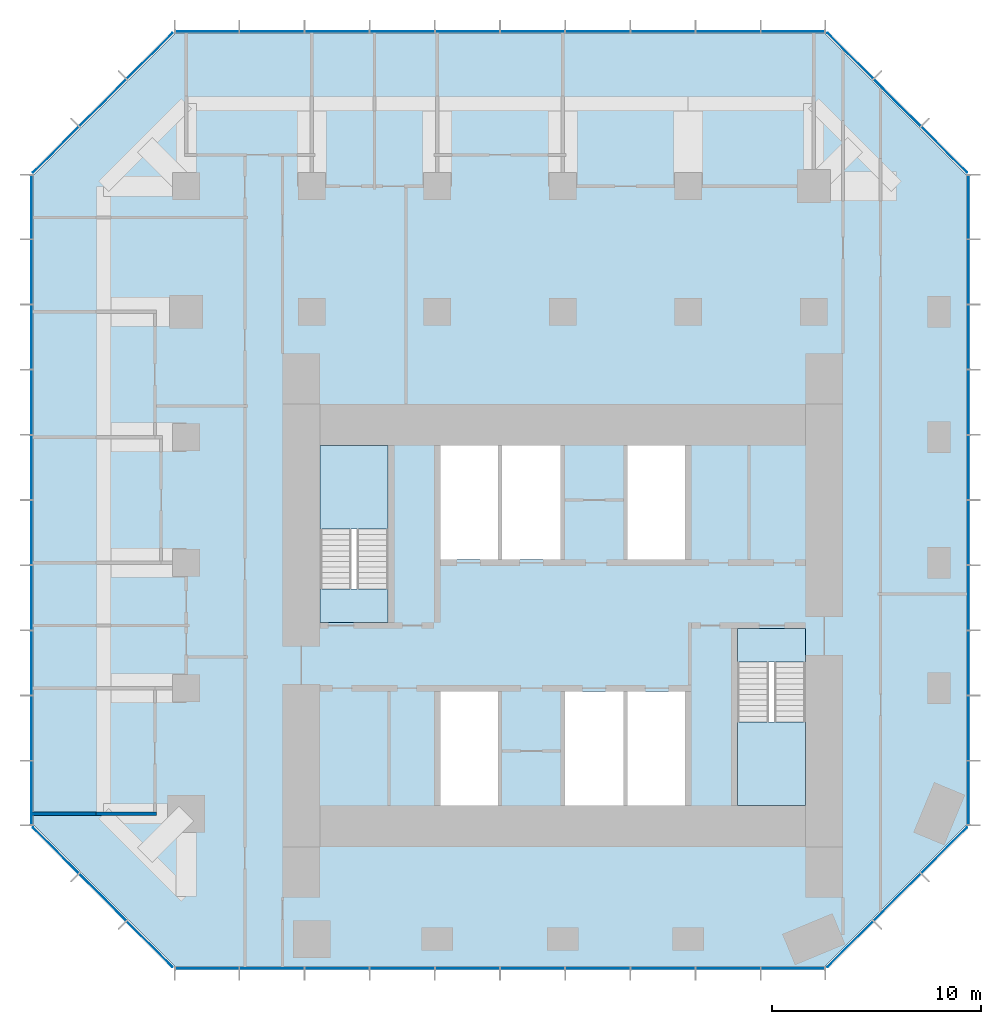
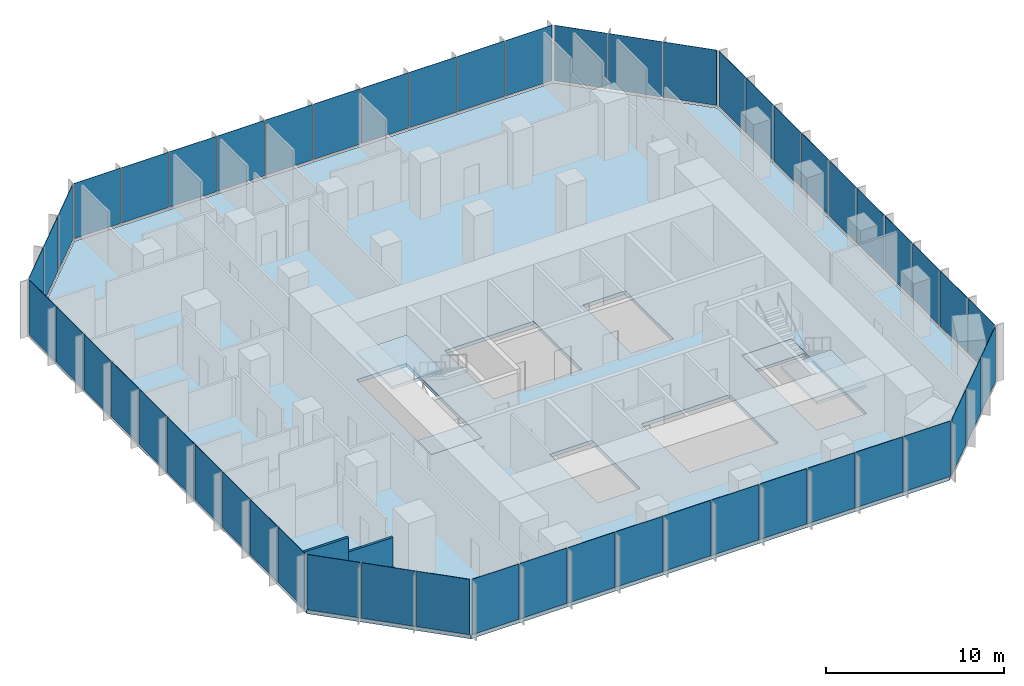
# One storey, part 7 of 11: 52 plates, 5 slabs, 2 walls, 10 elements without a shape of their own.
"""IFC4 building model written with IfcOpenShell, lengths in metres."""

from ifc_helpers import new_model, si_unit, direction, frame, frame_2d, origin, origin_2d, place, context, subcontext, project, spatial, polyline, rectangle, outline, extrude, material, layer, layer_set, type_object, element, aggregate, save


model = new_model("IFC4")

# Units and contexts
model_context = context("Model", 3, precision=1e-05, world=origin(), true_north=direction((0.0, 1.0)))
body_context = subcontext(model_context, "Body", "Model", "MODEL_VIEW")
ifc_project = project(units=[si_unit("LENGTHUNIT", "METRE"), si_unit("AREAUNIT", "SQUARE_METRE"), si_unit("VOLUMEUNIT", "CUBIC_METRE"), si_unit("PLANEANGLEUNIT", "RADIAN"), si_unit("MASSUNIT", "GRAM", prefix="KILO")], contexts=[model_context])

# Site, building, storey
site_placement = place(None, origin())
site = spatial("IfcSite", under=ifc_project, at=site_placement, CompositionType="ELEMENT")
building_placement = place(site_placement, origin())
building = spatial("IfcBuilding", under=site, at=building_placement, Name="Highveld Stack Headquarters", CompositionType="ELEMENT")
storey_placement = place(building_placement, frame((0.0, 0.0, 200.60009765625)))
storey = spatial("IfcBuildingStorey", under=building, at=storey_placement, Name="L49", CompositionType="ELEMENT", Elevation=200.60009765625)

# Curtain wall, plates
ifc_material_1 = material(Name="Aluminium bronze anodised", Category="aluminium")
ifc_layer_1 = layer(ifc_material_1, 0.199951171875)
ifc_layer_set_1 = layer_set([ifc_layer_1], Name="Aluminium bronze anodised")
curtain_wall_type_1 = type_object("IfcCurtainWallType", Name="CW1 TOWER UNITISED CURTAIN WALL", PredefinedType="NOTDEFINED", material=ifc_layer_set_1)
curtain_wall_1_placement = place(storey_placement, origin())
curtain_wall_1 = element("IfcCurtainWall", 1, at=curtain_wall_1_placement, inside=storey, type_object=curtain_wall_type_1, Name="Curtain wall CW1 L49 S", PredefinedType="NOTDEFINED")
ifc_material_2 = material(Name="Glass bronze tinted double glazed unit", Category="glass")
ifc_layer_2 = layer(ifc_material_2, 0.028076171875)
ifc_layer_set_2 = layer_set([ifc_layer_2], Name="Glass bronze tinted double glazed unit")
plate_type_1 = type_object("IfcPlateType", Name="CW1 PANEL BRONZE TINTED DOUBLE GLAZED UNIT", PredefinedType="CURTAIN_PANEL", material=ifc_layer_set_2)
plate_1_placement = place(storey_placement, frame((-11.005615234375, -13.39990234375, 0.10009765625), z_axis=(0.0, 0.0, 1.0), x_axis=(1.0, 0.0, 0.0)))
plate_1 = element("IfcPlate", 2, at=plate_1_placement, type_object=plate_type_1, Name="CW1 panel L49 1.1", PredefinedType="CURTAIN_PANEL", context=body_context, shape_type="SweptSolid", body=[
    extrude(rectangle(XDim=3.0185546875, YDim=0.028076171875, at=origin_2d()), origin(), (0.0, 0.0, 1.0), 3.800048828125),
])
plate_2_placement = place(storey_placement, frame((-7.906005859375, -13.39990234375, 0.10009765625), z_axis=(0.0, 0.0, 1.0), x_axis=(1.0, 0.0, 0.0)))
plate_2 = element("IfcPlate", 3, at=plate_2_placement, type_object=plate_type_1, Name="CW1 panel L49 2.1", PredefinedType="CURTAIN_PANEL", context=body_context, shape_type="SweptSolid", body=[
    extrude(rectangle(XDim=3.051025390625, YDim=0.028076171875, at=origin_2d()), origin(), (0.0, 0.0, 1.0), 3.800048828125),
])
plate_3_placement = place(storey_placement, frame((-4.7900390625, -13.39990234375, 0.10009765625), z_axis=(0.0, 0.0, 1.0), x_axis=(1.0, 0.0, 0.0)))
plate_3 = element("IfcPlate", 4, at=plate_3_placement, type_object=plate_type_1, Name="CW1 panel L49 3.1", PredefinedType="CURTAIN_PANEL", context=body_context, shape_type="SweptSolid", body=[
    extrude(rectangle(XDim=3.051025390625, YDim=0.028076171875, at=origin_2d()), origin(), (0.0, 0.0, 1.0), 3.800048828125),
])
plate_4_placement = place(storey_placement, frame((-1.674072265625, -13.39990234375, 0.10009765625), z_axis=(0.0, 0.0, 1.0), x_axis=(1.0, 0.0, 0.0)))
plate_4 = element("IfcPlate", 5, at=plate_4_placement, type_object=plate_type_1, Name="CW1 panel L49 4.1", PredefinedType="CURTAIN_PANEL", context=body_context, shape_type="SweptSolid", body=[
    extrude(rectangle(XDim=3.051025390625, YDim=0.028076171875, at=origin_2d()), origin(), (0.0, 0.0, 1.0), 3.800048828125),
])
plate_5_placement = place(storey_placement, frame((1.44189453125, -13.39990234375, 0.10009765625), z_axis=(0.0, 0.0, 1.0), x_axis=(1.0, 0.0, 0.0)))
plate_5 = element("IfcPlate", 6, at=plate_5_placement, type_object=plate_type_1, Name="CW1 panel L49 5.1", PredefinedType="CURTAIN_PANEL", context=body_context, shape_type="SweptSolid", body=[
    extrude(rectangle(XDim=3.051025390625, YDim=0.028076171875, at=origin_2d()), origin(), (0.0, 0.0, 1.0), 3.800048828125),
])
plate_6_placement = place(storey_placement, frame((4.55810546875, -13.39990234375, 0.10009765625), z_axis=(0.0, 0.0, 1.0), x_axis=(1.0, 0.0, 0.0)))
plate_6 = element("IfcPlate", 7, at=plate_6_placement, type_object=plate_type_1, Name="CW1 panel L49 6.1", PredefinedType="CURTAIN_PANEL", context=body_context, shape_type="SweptSolid", body=[
    extrude(rectangle(XDim=3.051025390625, YDim=0.028076171875, at=origin_2d()), origin(), (0.0, 0.0, 1.0), 3.800048828125),
])
plate_7_placement = place(storey_placement, frame((7.674072265625, -13.39990234375, 0.10009765625), z_axis=(0.0, 0.0, 1.0), x_axis=(1.0, 0.0, 0.0)))
plate_7 = element("IfcPlate", 8, at=plate_7_placement, type_object=plate_type_1, Name="CW1 panel L49 7.1", PredefinedType="CURTAIN_PANEL", context=body_context, shape_type="SweptSolid", body=[
    extrude(rectangle(XDim=3.051025390625, YDim=0.028076171875, at=origin_2d()), origin(), (0.0, 0.0, 1.0), 3.800048828125),
])
plate_8_placement = place(storey_placement, frame((10.789794921875, -13.39990234375, 0.10009765625), z_axis=(0.0, 0.0, 1.0), x_axis=(1.0, 0.0, 0.0)))
plate_8 = element("IfcPlate", 9, at=plate_8_placement, type_object=plate_type_1, Name="CW1 panel L49 8.1", PredefinedType="CURTAIN_PANEL", context=body_context, shape_type="SweptSolid", body=[
    extrude(rectangle(XDim=3.051025390625, YDim=0.028076171875, at=origin_2d()), origin(), (0.0, 0.0, 1.0), 3.800048828125),
])
plate_9_placement = place(storey_placement, frame((13.906005859375, -13.39990234375, 0.10009765625), z_axis=(0.0, 0.0, 1.0), x_axis=(1.0, 0.0, 0.0)))
plate_9 = element("IfcPlate", 10, at=plate_9_placement, type_object=plate_type_1, Name="CW1 panel L49 9.1", PredefinedType="CURTAIN_PANEL", context=body_context, shape_type="SweptSolid", body=[
    extrude(rectangle(XDim=3.051025390625, YDim=0.028076171875, at=origin_2d()), origin(), (0.0, 0.0, 1.0), 3.800048828125),
])
plate_10_placement = place(storey_placement, frame((17.005615234375, -13.39990234375, 0.10009765625), z_axis=(0.0, 0.0, 1.0), x_axis=(1.0, 0.0, 0.0)))
plate_10 = element("IfcPlate", 11, at=plate_10_placement, type_object=plate_type_1, Name="CW1 panel L49 10.1", PredefinedType="CURTAIN_PANEL", context=body_context, shape_type="SweptSolid", body=[
    extrude(rectangle(XDim=3.0185546875, YDim=0.028076171875, at=origin_2d()), origin(), (0.0, 0.0, 1.0), 3.800048828125),
])
aggregate(curtain_wall_1, [plate_1, plate_2, plate_3, plate_4, plate_5, plate_6, plate_7, plate_8, plate_9, plate_10])

curtain_wall_2_placement = place(storey_placement, origin())
curtain_wall_2 = element("IfcCurtainWall", 12, at=curtain_wall_2_placement, inside=storey, type_object=curtain_wall_type_1, Name="Curtain wall CW1 L49 E", PredefinedType="NOTDEFINED")
plate_11_placement = place(storey_placement, frame((25.39990234375, -5.005615234375, 0.10009765625), z_axis=(0.0, 0.0, 1.0), x_axis=(0.0, 1.0, 0.0)))
plate_11 = element("IfcPlate", 13, at=plate_11_placement, type_object=plate_type_1, Name="CW1 panel L49 1.1", PredefinedType="CURTAIN_PANEL", context=body_context, shape_type="SweptSolid", body=[
    extrude(rectangle(XDim=3.0185546875, YDim=0.028076171875, at=origin_2d()), origin(), (0.0, 0.0, 1.0), 3.800048828125),
])
plate_12_placement = place(storey_placement, frame((25.39990234375, -1.906005859375, 0.10009765625), z_axis=(0.0, 0.0, 1.0), x_axis=(0.0, 1.0, 0.0)))
plate_12 = element("IfcPlate", 14, at=plate_12_placement, type_object=plate_type_1, Name="CW1 panel L49 2.1", PredefinedType="CURTAIN_PANEL", context=body_context, shape_type="SweptSolid", body=[
    extrude(rectangle(XDim=3.051025390625, YDim=0.028076171875, at=origin_2d()), origin(), (0.0, 0.0, 1.0), 3.800048828125),
])
plate_13_placement = place(storey_placement, frame((25.39990234375, 1.2099609375, 0.10009765625), z_axis=(0.0, 0.0, 1.0), x_axis=(0.0, 1.0, 0.0)))
plate_13 = element("IfcPlate", 15, at=plate_13_placement, type_object=plate_type_1, Name="CW1 panel L49 3.1", PredefinedType="CURTAIN_PANEL", context=body_context, shape_type="SweptSolid", body=[
    extrude(rectangle(XDim=3.051025390625, YDim=0.028076171875, at=origin_2d()), origin(), (0.0, 0.0, 1.0), 3.800048828125),
])
plate_14_placement = place(storey_placement, frame((25.39990234375, 4.325927734375, 0.10009765625), z_axis=(0.0, 0.0, 1.0), x_axis=(0.0, 1.0, 0.0)))
plate_14 = element("IfcPlate", 16, at=plate_14_placement, type_object=plate_type_1, Name="CW1 panel L49 4.1", PredefinedType="CURTAIN_PANEL", context=body_context, shape_type="SweptSolid", body=[
    extrude(rectangle(XDim=3.051025390625, YDim=0.028076171875, at=origin_2d()), origin(), (0.0, 0.0, 1.0), 3.800048828125),
])
plate_15_placement = place(storey_placement, frame((25.39990234375, 7.44189453125, 0.10009765625), z_axis=(0.0, 0.0, 1.0), x_axis=(0.0, 1.0, 0.0)))
plate_15 = element("IfcPlate", 17, at=plate_15_placement, type_object=plate_type_1, Name="CW1 panel L49 5.1", PredefinedType="CURTAIN_PANEL", context=body_context, shape_type="SweptSolid", body=[
    extrude(rectangle(XDim=3.051025390625, YDim=0.028076171875, at=origin_2d()), origin(), (0.0, 0.0, 1.0), 3.800048828125),
])
plate_16_placement = place(storey_placement, frame((25.39990234375, 10.55810546875, 0.10009765625), z_axis=(0.0, 0.0, 1.0), x_axis=(0.0, 1.0, 0.0)))
plate_16 = element("IfcPlate", 18, at=plate_16_placement, type_object=plate_type_1, Name="CW1 panel L49 6.1", PredefinedType="CURTAIN_PANEL", context=body_context, shape_type="SweptSolid", body=[
    extrude(rectangle(XDim=3.051025390625, YDim=0.028076171875, at=origin_2d()), origin(), (0.0, 0.0, 1.0), 3.800048828125),
])
plate_17_placement = place(storey_placement, frame((25.39990234375, 13.674072265625, 0.10009765625), z_axis=(0.0, 0.0, 1.0), x_axis=(0.0, 1.0, 0.0)))
plate_17 = element("IfcPlate", 19, at=plate_17_placement, type_object=plate_type_1, Name="CW1 panel L49 7.1", PredefinedType="CURTAIN_PANEL", context=body_context, shape_type="SweptSolid", body=[
    extrude(rectangle(XDim=3.051025390625, YDim=0.028076171875, at=origin_2d()), origin(), (0.0, 0.0, 1.0), 3.800048828125),
])
plate_18_placement = place(storey_placement, frame((25.39990234375, 16.789794921875, 0.10009765625), z_axis=(0.0, 0.0, 1.0), x_axis=(0.0, 1.0, 0.0)))
plate_18 = element("IfcPlate", 20, at=plate_18_placement, type_object=plate_type_1, Name="CW1 panel L49 8.1", PredefinedType="CURTAIN_PANEL", context=body_context, shape_type="SweptSolid", body=[
    extrude(rectangle(XDim=3.051025390625, YDim=0.028076171875, at=origin_2d()), origin(), (0.0, 0.0, 1.0), 3.800048828125),
])
plate_19_placement = place(storey_placement, frame((25.39990234375, 19.906005859375, 0.10009765625), z_axis=(0.0, 0.0, 1.0), x_axis=(0.0, 1.0, 0.0)))
plate_19 = element("IfcPlate", 21, at=plate_19_placement, type_object=plate_type_1, Name="CW1 panel L49 9.1", PredefinedType="CURTAIN_PANEL", context=body_context, shape_type="SweptSolid", body=[
    extrude(rectangle(XDim=3.051025390625, YDim=0.028076171875, at=origin_2d()), origin(), (0.0, 0.0, 1.0), 3.800048828125),
])
plate_20_placement = place(storey_placement, frame((25.39990234375, 23.005615234375, 0.10009765625), z_axis=(0.0, 0.0, 1.0), x_axis=(0.0, 1.0, 0.0)))
plate_20 = element("IfcPlate", 22, at=plate_20_placement, type_object=plate_type_1, Name="CW1 panel L49 10.1", PredefinedType="CURTAIN_PANEL", context=body_context, shape_type="SweptSolid", body=[
    extrude(rectangle(XDim=3.0185546875, YDim=0.028076171875, at=origin_2d()), origin(), (0.0, 0.0, 1.0), 3.800048828125),
])
aggregate(curtain_wall_2, [plate_11, plate_12, plate_13, plate_14, plate_15, plate_16, plate_17, plate_18, plate_19, plate_20])

curtain_wall_3_placement = place(storey_placement, origin())
curtain_wall_3 = element("IfcCurtainWall", 23, at=curtain_wall_3_placement, inside=storey, type_object=curtain_wall_type_1, Name="Curtain wall CW1 L49 N", PredefinedType="NOTDEFINED")
plate_21_placement = place(storey_placement, frame((17.005615234375, 31.39990234375, 0.10009765625), z_axis=(0.0, 0.0, 1.0), x_axis=(-1.0, 0.0, 0.0)))
plate_21 = element("IfcPlate", 24, at=plate_21_placement, type_object=plate_type_1, Name="CW1 panel L49 1.1", PredefinedType="CURTAIN_PANEL", context=body_context, shape_type="SweptSolid", body=[
    extrude(rectangle(XDim=3.0185546875, YDim=0.028076171875, at=origin_2d()), origin(), (0.0, 0.0, 1.0), 3.800048828125),
])
plate_22_placement = place(storey_placement, frame((13.906005859375, 31.39990234375, 0.10009765625), z_axis=(0.0, 0.0, 1.0), x_axis=(-1.0, 0.0, 0.0)))
plate_22 = element("IfcPlate", 25, at=plate_22_placement, type_object=plate_type_1, Name="CW1 panel L49 2.1", PredefinedType="CURTAIN_PANEL", context=body_context, shape_type="SweptSolid", body=[
    extrude(rectangle(XDim=3.051025390625, YDim=0.028076171875, at=origin_2d()), origin(), (0.0, 0.0, 1.0), 3.800048828125),
])
plate_23_placement = place(storey_placement, frame((10.7900390625, 31.39990234375, 0.10009765625), z_axis=(0.0, 0.0, 1.0), x_axis=(-1.0, 0.0, 0.0)))
plate_23 = element("IfcPlate", 26, at=plate_23_placement, type_object=plate_type_1, Name="CW1 panel L49 3.1", PredefinedType="CURTAIN_PANEL", context=body_context, shape_type="SweptSolid", body=[
    extrude(rectangle(XDim=3.051025390625, YDim=0.028076171875, at=origin_2d()), origin(), (0.0, 0.0, 1.0), 3.800048828125),
])
plate_24_placement = place(storey_placement, frame((7.674072265625, 31.39990234375, 0.10009765625), z_axis=(0.0, 0.0, 1.0), x_axis=(-1.0, 0.0, 0.0)))
plate_24 = element("IfcPlate", 27, at=plate_24_placement, type_object=plate_type_1, Name="CW1 panel L49 4.1", PredefinedType="CURTAIN_PANEL", context=body_context, shape_type="SweptSolid", body=[
    extrude(rectangle(XDim=3.051025390625, YDim=0.028076171875, at=origin_2d()), origin(), (0.0, 0.0, 1.0), 3.800048828125),
])
plate_25_placement = place(storey_placement, frame((4.55810546875, 31.39990234375, 0.10009765625), z_axis=(0.0, 0.0, 1.0), x_axis=(-1.0, 0.0, 0.0)))
plate_25 = element("IfcPlate", 28, at=plate_25_placement, type_object=plate_type_1, Name="CW1 panel L49 5.1", PredefinedType="CURTAIN_PANEL", context=body_context, shape_type="SweptSolid", body=[
    extrude(rectangle(XDim=3.051025390625, YDim=0.028076171875, at=origin_2d()), origin(), (0.0, 0.0, 1.0), 3.800048828125),
])
plate_26_placement = place(storey_placement, frame((1.44189453125, 31.39990234375, 0.10009765625), z_axis=(0.0, 0.0, 1.0), x_axis=(-1.0, 0.0, 0.0)))
plate_26 = element("IfcPlate", 29, at=plate_26_placement, type_object=plate_type_1, Name="CW1 panel L49 6.1", PredefinedType="CURTAIN_PANEL", context=body_context, shape_type="SweptSolid", body=[
    extrude(rectangle(XDim=3.051025390625, YDim=0.028076171875, at=origin_2d()), origin(), (0.0, 0.0, 1.0), 3.800048828125),
])
plate_27_placement = place(storey_placement, frame((-1.674072265625, 31.39990234375, 0.10009765625), z_axis=(0.0, 0.0, 1.0), x_axis=(-1.0, 0.0, 0.0)))
plate_27 = element("IfcPlate", 30, at=plate_27_placement, type_object=plate_type_1, Name="CW1 panel L49 7.1", PredefinedType="CURTAIN_PANEL", context=body_context, shape_type="SweptSolid", body=[
    extrude(rectangle(XDim=3.051025390625, YDim=0.028076171875, at=origin_2d()), origin(), (0.0, 0.0, 1.0), 3.800048828125),
])
plate_28_placement = place(storey_placement, frame((-4.789794921875, 31.39990234375, 0.10009765625), z_axis=(0.0, 0.0, 1.0), x_axis=(-1.0, 0.0, 0.0)))
plate_28 = element("IfcPlate", 31, at=plate_28_placement, type_object=plate_type_1, Name="CW1 panel L49 8.1", PredefinedType="CURTAIN_PANEL", context=body_context, shape_type="SweptSolid", body=[
    extrude(rectangle(XDim=3.051025390625, YDim=0.028076171875, at=origin_2d()), origin(), (0.0, 0.0, 1.0), 3.800048828125),
])
plate_29_placement = place(storey_placement, frame((-7.906005859375, 31.39990234375, 0.10009765625), z_axis=(0.0, 0.0, 1.0), x_axis=(-1.0, 0.0, 0.0)))
plate_29 = element("IfcPlate", 32, at=plate_29_placement, type_object=plate_type_1, Name="CW1 panel L49 9.1", PredefinedType="CURTAIN_PANEL", context=body_context, shape_type="SweptSolid", body=[
    extrude(rectangle(XDim=3.051025390625, YDim=0.028076171875, at=origin_2d()), origin(), (0.0, 0.0, 1.0), 3.800048828125),
])
plate_30_placement = place(storey_placement, frame((-11.005615234375, 31.39990234375, 0.10009765625), z_axis=(0.0, 0.0, 1.0), x_axis=(-1.0, 0.0, 0.0)))
plate_30 = element("IfcPlate", 33, at=plate_30_placement, type_object=plate_type_1, Name="CW1 panel L49 10.1", PredefinedType="CURTAIN_PANEL", context=body_context, shape_type="SweptSolid", body=[
    extrude(rectangle(XDim=3.0185546875, YDim=0.028076171875, at=origin_2d()), origin(), (0.0, 0.0, 1.0), 3.800048828125),
])
aggregate(curtain_wall_3, [plate_21, plate_22, plate_23, plate_24, plate_25, plate_26, plate_27, plate_28, plate_29, plate_30])

curtain_wall_4_placement = place(storey_placement, origin())
curtain_wall_4 = element("IfcCurtainWall", 34, at=curtain_wall_4_placement, inside=storey, type_object=curtain_wall_type_1, Name="Curtain wall CW1 L49 W", PredefinedType="NOTDEFINED")
plate_31_placement = place(storey_placement, frame((-19.39990234375, 23.005615234375, 0.10009765625), z_axis=(0.0, 0.0, 1.0), x_axis=(0.0, -1.0, 0.0)))
plate_31 = element("IfcPlate", 35, at=plate_31_placement, type_object=plate_type_1, Name="CW1 panel L49 1.1", PredefinedType="CURTAIN_PANEL", context=body_context, shape_type="SweptSolid", body=[
    extrude(rectangle(XDim=3.0185546875, YDim=0.028076171875, at=origin_2d()), origin(), (0.0, 0.0, 1.0), 3.800048828125),
])
plate_32_placement = place(storey_placement, frame((-19.39990234375, 19.906005859375, 0.10009765625), z_axis=(0.0, 0.0, 1.0), x_axis=(0.0, -1.0, 0.0)))
plate_32 = element("IfcPlate", 36, at=plate_32_placement, type_object=plate_type_1, Name="CW1 panel L49 2.1", PredefinedType="CURTAIN_PANEL", context=body_context, shape_type="SweptSolid", body=[
    extrude(rectangle(XDim=3.051025390625, YDim=0.028076171875, at=origin_2d()), origin(), (0.0, 0.0, 1.0), 3.800048828125),
])
plate_33_placement = place(storey_placement, frame((-19.39990234375, 16.7900390625, 0.10009765625), z_axis=(0.0, 0.0, 1.0), x_axis=(0.0, -1.0, 0.0)))
plate_33 = element("IfcPlate", 37, at=plate_33_placement, type_object=plate_type_1, Name="CW1 panel L49 3.1", PredefinedType="CURTAIN_PANEL", context=body_context, shape_type="SweptSolid", body=[
    extrude(rectangle(XDim=3.051025390625, YDim=0.028076171875, at=origin_2d()), origin(), (0.0, 0.0, 1.0), 3.800048828125),
])
plate_34_placement = place(storey_placement, frame((-19.39990234375, 13.674072265625, 0.10009765625), z_axis=(0.0, 0.0, 1.0), x_axis=(0.0, -1.0, 0.0)))
plate_34 = element("IfcPlate", 38, at=plate_34_placement, type_object=plate_type_1, Name="CW1 panel L49 4.1", PredefinedType="CURTAIN_PANEL", context=body_context, shape_type="SweptSolid", body=[
    extrude(rectangle(XDim=3.051025390625, YDim=0.028076171875, at=origin_2d()), origin(), (0.0, 0.0, 1.0), 3.800048828125),
])
plate_35_placement = place(storey_placement, frame((-19.39990234375, 10.55810546875, 0.10009765625), z_axis=(0.0, 0.0, 1.0), x_axis=(0.0, -1.0, 0.0)))
plate_35 = element("IfcPlate", 39, at=plate_35_placement, type_object=plate_type_1, Name="CW1 panel L49 5.1", PredefinedType="CURTAIN_PANEL", context=body_context, shape_type="SweptSolid", body=[
    extrude(rectangle(XDim=3.051025390625, YDim=0.028076171875, at=origin_2d()), origin(), (0.0, 0.0, 1.0), 3.800048828125),
])
plate_36_placement = place(storey_placement, frame((-19.39990234375, 7.44189453125, 0.10009765625), z_axis=(0.0, 0.0, 1.0), x_axis=(0.0, -1.0, 0.0)))
plate_36 = element("IfcPlate", 40, at=plate_36_placement, type_object=plate_type_1, Name="CW1 panel L49 6.1", PredefinedType="CURTAIN_PANEL", context=body_context, shape_type="SweptSolid", body=[
    extrude(rectangle(XDim=3.051025390625, YDim=0.028076171875, at=origin_2d()), origin(), (0.0, 0.0, 1.0), 3.800048828125),
])
plate_37_placement = place(storey_placement, frame((-19.39990234375, 4.325927734375, 0.10009765625), z_axis=(0.0, 0.0, 1.0), x_axis=(0.0, -1.0, 0.0)))
plate_37 = element("IfcPlate", 41, at=plate_37_placement, type_object=plate_type_1, Name="CW1 panel L49 7.1", PredefinedType="CURTAIN_PANEL", context=body_context, shape_type="SweptSolid", body=[
    extrude(rectangle(XDim=3.051025390625, YDim=0.028076171875, at=origin_2d()), origin(), (0.0, 0.0, 1.0), 3.800048828125),
])
plate_38_placement = place(storey_placement, frame((-19.39990234375, 1.210205078125, 0.10009765625), z_axis=(0.0, 0.0, 1.0), x_axis=(0.0, -1.0, 0.0)))
plate_38 = element("IfcPlate", 42, at=plate_38_placement, type_object=plate_type_1, Name="CW1 panel L49 8.1", PredefinedType="CURTAIN_PANEL", context=body_context, shape_type="SweptSolid", body=[
    extrude(rectangle(XDim=3.051025390625, YDim=0.028076171875, at=origin_2d()), origin(), (0.0, 0.0, 1.0), 3.800048828125),
])
plate_39_placement = place(storey_placement, frame((-19.39990234375, -1.906005859375, 0.10009765625), z_axis=(0.0, 0.0, 1.0), x_axis=(0.0, -1.0, 0.0)))
plate_39 = element("IfcPlate", 43, at=plate_39_placement, type_object=plate_type_1, Name="CW1 panel L49 9.1", PredefinedType="CURTAIN_PANEL", context=body_context, shape_type="SweptSolid", body=[
    extrude(rectangle(XDim=3.051025390625, YDim=0.028076171875, at=origin_2d()), origin(), (0.0, 0.0, 1.0), 3.800048828125),
])
plate_40_placement = place(storey_placement, frame((-19.39990234375, -5.005615234375, 0.10009765625), z_axis=(0.0, 0.0, 1.0), x_axis=(0.0, -1.0, 0.0)))
plate_40 = element("IfcPlate", 44, at=plate_40_placement, type_object=plate_type_1, Name="CW1 panel L49 10.1", PredefinedType="CURTAIN_PANEL", context=body_context, shape_type="SweptSolid", body=[
    extrude(rectangle(XDim=3.0185546875, YDim=0.028076171875, at=origin_2d()), origin(), (0.0, 0.0, 1.0), 3.800048828125),
])
aggregate(curtain_wall_4, [plate_31, plate_32, plate_33, plate_34, plate_35, plate_36, plate_37, plate_38, plate_39, plate_40])

ifc_material_3 = material(Name="Aluminium bronze anodised", Category="aluminium")
ifc_layer_3 = layer(ifc_material_3, 0.199951171875)
ifc_layer_set_3 = layer_set([ifc_layer_3], Name="Aluminium bronze anodised")
curtain_wall_type_2 = type_object("IfcCurtainWallType", Name="CW2 TOWER CHAMFER UNITISED CURTAIN WALL", PredefinedType="NOTDEFINED", material=ifc_layer_set_3)
curtain_wall_5_placement = place(storey_placement, origin())
curtain_wall_5 = element("IfcCurtainWall", 45, at=curtain_wall_5_placement, inside=storey, type_object=curtain_wall_type_2, Name="Curtain wall CW2 L49 SE", PredefinedType="NOTDEFINED")
ifc_material_4 = material(Name="Glass bronze tinted double glazed unit", Category="glass")
ifc_layer_4 = layer(ifc_material_4, 0.028076171875)
ifc_layer_set_4 = layer_set([ifc_layer_4], Name="Glass bronze tinted double glazed unit")
plate_type_2 = type_object("IfcPlateType", Name="CW2 PANEL BRONZE TINTED DOUBLE GLAZED UNIT", PredefinedType="CURTAIN_PANEL", material=ifc_layer_set_4)
plate_41_placement = place(storey_placement, frame((19.740478515625, -12.239501953125, 0.10009765625), z_axis=(0.0, 0.0, 1.0), x_axis=(0.707106781187, 0.707106781187, 0.0)))
plate_41 = element("IfcPlate", 46, at=plate_41_placement, type_object=plate_type_2, Name="CW2 panel L49 1.1", PredefinedType="CURTAIN_PANEL", context=body_context, shape_type="SweptSolid", body=[
    extrude(rectangle(XDim=3.08251953125, YDim=0.028076171875, at=origin_2d()), origin(), (0.0, 0.0, 1.0), 3.800048828125),
])
plate_42_placement = place(storey_placement, frame((21.989990234375, -9.989990234375, 0.10009765625), z_axis=(0.0, 0.0, 1.0), x_axis=(0.707106781187, 0.707106781187, 0.0)))
plate_42 = element("IfcPlate", 47, at=plate_42_placement, type_object=plate_type_2, Name="CW2 panel L49 2.1", PredefinedType="CURTAIN_PANEL", context=body_context, shape_type="SweptSolid", body=[
    extrude(rectangle(XDim=3.14990234375, YDim=0.028076171875, at=origin_2d()), origin(), (0.0, 0.0, 1.0), 3.800048828125),
])
plate_43_placement = place(storey_placement, frame((24.239501953125, -7.740478515625, 0.10009765625), z_axis=(0.0, 0.0, 1.0), x_axis=(0.707106781187, 0.707106781187, 0.0)))
plate_43 = element("IfcPlate", 48, at=plate_43_placement, type_object=plate_type_2, Name="CW2 panel L49 3.1", PredefinedType="CURTAIN_PANEL", context=body_context, shape_type="SweptSolid", body=[
    extrude(rectangle(XDim=3.08251953125, YDim=0.028076171875, at=origin_2d()), origin(), (0.0, 0.0, 1.0), 3.800048828125),
])
aggregate(curtain_wall_5, [plate_41, plate_42, plate_43])

curtain_wall_6_placement = place(storey_placement, origin())
curtain_wall_6 = element("IfcCurtainWall", 49, at=curtain_wall_6_placement, inside=storey, type_object=curtain_wall_type_2, Name="Curtain wall CW2 L49 NE", PredefinedType="NOTDEFINED")
plate_44_placement = place(storey_placement, frame((24.239501953125, 25.740478515625, 0.10009765625), z_axis=(0.0, 0.0, 1.0), x_axis=(-0.707106781187, 0.707106781187, 0.0)))
plate_44 = element("IfcPlate", 50, at=plate_44_placement, type_object=plate_type_2, Name="CW2 panel L49 1.1", PredefinedType="CURTAIN_PANEL", context=body_context, shape_type="SweptSolid", body=[
    extrude(rectangle(XDim=3.08251953125, YDim=0.028076171875, at=origin_2d()), origin(), (0.0, 0.0, 1.0), 3.800048828125),
])
plate_45_placement = place(storey_placement, frame((21.989990234375, 27.989990234375, 0.10009765625), z_axis=(0.0, 0.0, 1.0), x_axis=(-0.707106781187, 0.707106781187, 0.0)))
plate_45 = element("IfcPlate", 51, at=plate_45_placement, type_object=plate_type_2, Name="CW2 panel L49 2.1", PredefinedType="CURTAIN_PANEL", context=body_context, shape_type="SweptSolid", body=[
    extrude(rectangle(XDim=3.14990234375, YDim=0.028076171875, at=origin_2d()), origin(), (0.0, 0.0, 1.0), 3.800048828125),
])
plate_46_placement = place(storey_placement, frame((19.740478515625, 30.239501953125, 0.10009765625), z_axis=(0.0, 0.0, 1.0), x_axis=(-0.707106781187, 0.707106781187, 0.0)))
plate_46 = element("IfcPlate", 52, at=plate_46_placement, type_object=plate_type_2, Name="CW2 panel L49 3.1", PredefinedType="CURTAIN_PANEL", context=body_context, shape_type="SweptSolid", body=[
    extrude(rectangle(XDim=3.08251953125, YDim=0.028076171875, at=origin_2d()), origin(), (0.0, 0.0, 1.0), 3.800048828125),
])
aggregate(curtain_wall_6, [plate_44, plate_45, plate_46])

curtain_wall_7_placement = place(storey_placement, origin())
curtain_wall_7 = element("IfcCurtainWall", 53, at=curtain_wall_7_placement, inside=storey, type_object=curtain_wall_type_2, Name="Curtain wall CW2 L49 NW", PredefinedType="NOTDEFINED")
plate_47_placement = place(storey_placement, frame((-13.740478515625, 30.239501953125, 0.10009765625), z_axis=(0.0, 0.0, 1.0), x_axis=(-0.707106781187, -0.707106781187, 0.0)))
plate_47 = element("IfcPlate", 54, at=plate_47_placement, type_object=plate_type_2, Name="CW2 panel L49 1.1", PredefinedType="CURTAIN_PANEL", context=body_context, shape_type="SweptSolid", body=[
    extrude(rectangle(XDim=3.08251953125, YDim=0.028076171875, at=origin_2d()), origin(), (0.0, 0.0, 1.0), 3.800048828125),
])
plate_48_placement = place(storey_placement, frame((-15.989990234375, 27.989990234375, 0.10009765625), z_axis=(0.0, 0.0, 1.0), x_axis=(-0.707106781187, -0.707106781187, 0.0)))
plate_48 = element("IfcPlate", 55, at=plate_48_placement, type_object=plate_type_2, Name="CW2 panel L49 2.1", PredefinedType="CURTAIN_PANEL", context=body_context, shape_type="SweptSolid", body=[
    extrude(rectangle(XDim=3.14990234375, YDim=0.028076171875, at=origin_2d()), origin(), (0.0, 0.0, 1.0), 3.800048828125),
])
plate_49_placement = place(storey_placement, frame((-18.239501953125, 25.740478515625, 0.10009765625), z_axis=(0.0, 0.0, 1.0), x_axis=(-0.707106781187, -0.707106781187, 0.0)))
plate_49 = element("IfcPlate", 56, at=plate_49_placement, type_object=plate_type_2, Name="CW2 panel L49 3.1", PredefinedType="CURTAIN_PANEL", context=body_context, shape_type="SweptSolid", body=[
    extrude(rectangle(XDim=3.08251953125, YDim=0.028076171875, at=origin_2d()), origin(), (0.0, 0.0, 1.0), 3.800048828125),
])
aggregate(curtain_wall_7, [plate_47, plate_48, plate_49])

curtain_wall_8_placement = place(storey_placement, origin())
curtain_wall_8 = element("IfcCurtainWall", 57, at=curtain_wall_8_placement, inside=storey, type_object=curtain_wall_type_2, Name="Curtain wall CW2 L49 SW", PredefinedType="NOTDEFINED")
plate_50_placement = place(storey_placement, frame((-18.239501953125, -7.740478515625, 0.10009765625), z_axis=(0.0, 0.0, 1.0), x_axis=(0.707106781187, -0.707106781187, 0.0)))
plate_50 = element("IfcPlate", 58, at=plate_50_placement, type_object=plate_type_2, Name="CW2 panel L49 1.1", PredefinedType="CURTAIN_PANEL", context=body_context, shape_type="SweptSolid", body=[
    extrude(rectangle(XDim=3.08251953125, YDim=0.028076171875, at=origin_2d()), origin(), (0.0, 0.0, 1.0), 3.800048828125),
])
plate_51_placement = place(storey_placement, frame((-15.989990234375, -9.989990234375, 0.10009765625), z_axis=(0.0, 0.0, 1.0), x_axis=(0.707106781187, -0.707106781187, 0.0)))
plate_51 = element("IfcPlate", 59, at=plate_51_placement, type_object=plate_type_2, Name="CW2 panel L49 2.1", PredefinedType="CURTAIN_PANEL", context=body_context, shape_type="SweptSolid", body=[
    extrude(rectangle(XDim=3.14990234375, YDim=0.028076171875, at=origin_2d()), origin(), (0.0, 0.0, 1.0), 3.800048828125),
])
plate_52_placement = place(storey_placement, frame((-13.740478515625, -12.239501953125, 0.10009765625), z_axis=(0.0, 0.0, 1.0), x_axis=(0.707106781187, -0.707106781187, 0.0)))
plate_52 = element("IfcPlate", 60, at=plate_52_placement, type_object=plate_type_2, Name="CW2 panel L49 3.1", PredefinedType="CURTAIN_PANEL", context=body_context, shape_type="SweptSolid", body=[
    extrude(rectangle(XDim=3.08251953125, YDim=0.028076171875, at=origin_2d()), origin(), (0.0, 0.0, 1.0), 3.800048828125),
])
aggregate(curtain_wall_8, [plate_50, plate_51, plate_52])

# Slab
ifc_material_5 = material(Name="Concrete C60/75", Category="concrete")
ifc_layer_5 = layer(ifc_material_5, 0.25)
ifc_layer_set_5 = layer_set([ifc_layer_5], Name="Concrete C60/75")
slab_type_1 = type_object("IfcSlabType", Name="PT FLAT SLAB 250", PredefinedType="FLOOR", material=ifc_layer_set_5)
slab_1_placement = place(storey_placement, frame((0.0, 0.0, -0.25)))
element("IfcSlab", 61, at=slab_1_placement, inside=storey, type_object=slab_type_1, Name="Floor slab L49", PredefinedType="FLOOR", context=body_context, shape_type="SweptSolid", body=[
    extrude(outline(polyline([(-12.53857421875, -13.300048828125), (18.53857421875, -13.300048828125), (25.300048828125, -6.53857421875), (25.300048828125, 24.53857421875), (18.53857421875, 31.300048828125), (-12.53857421875, 31.300048828125), (-19.300048828125, 24.53857421875), (-19.300048828125, -6.53857421875), (-12.53857421875, -13.300048828125)]), holes=[polyline([(0.14990234375, 6.14990234375), (5.89990234375, 6.14990234375), (5.89990234375, 11.60009765625), (0.14990234375, 11.60009765625), (0.14990234375, 6.14990234375)]), polyline([(9.10009765625, 6.14990234375), (11.85009765625, 6.14990234375), (11.85009765625, 11.60009765625), (9.10009765625, 11.60009765625), (9.10009765625, 6.14990234375)]), polyline([(6.10009765625, -5.60009765625), (11.85009765625, -5.60009765625), (11.85009765625, -0.14990234375), (6.10009765625, -0.14990234375), (6.10009765625, -5.60009765625)]), polyline([(0.14990234375, -5.60009765625), (2.89990234375, -5.60009765625), (2.89990234375, -0.14990234375), (0.14990234375, -0.14990234375), (0.14990234375, -5.60009765625)]), polyline([(-5.60009765625, 3.14990234375), (-2.35009765625, 3.14990234375), (-2.35009765625, 11.60009765625), (-5.60009765625, 11.60009765625), (-5.60009765625, 3.14990234375)]), polyline([(14.35009765625, -5.60009765625), (17.60009765625, -5.60009765625), (17.60009765625, 2.85009765625), (14.35009765625, 2.85009765625), (14.35009765625, -5.60009765625)])]), origin(), (0.0, 0.0, 1.0), 0.25),
])

# Stair, slabs
ifc_material_6 = material(Name="Concrete C40/50, precast", Category="concrete")
stair_type_1 = type_object("IfcStairType", Name="STAIR S1 HALF TURN 1500", PredefinedType="HALF_TURN_STAIR", material=ifc_material_6)
stair_1_placement = place(storey_placement, origin())
stair_1 = element("IfcStair", 62, at=stair_1_placement, inside=storey, type_object=stair_type_1, Name="Stair S1 L49", PredefinedType="HALF_TURN_STAIR")
ifc_material_7 = material(Name="Concrete C40/50, precast", Category="concrete")
ifc_layer_6 = layer(ifc_material_7, 0.199951171875)
ifc_layer_set_6 = layer_set([ifc_layer_6], Name="Concrete C40/50, precast")
slab_type_2 = type_object("IfcSlabType", Name="STAIR LANDING 200", PredefinedType="LANDING", material=ifc_layer_set_6)
slab_2_placement = place(storey_placement, frame((0.0, 0.0, 1.75)))
slab_2 = element("IfcSlab", 63, at=slab_2_placement, type_object=slab_type_2, Name="S1 landing 1", PredefinedType="LANDING", context=body_context, shape_type="SweptSolid", body=[
    extrude(outline(polyline([(-5.60009765625, 7.610107421875), (-2.35009765625, 7.610107421875), (-2.35009765625, 11.60009765625), (-5.60009765625, 11.60009765625), (-5.60009765625, 7.610107421875)])), origin(), (0.0, 0.0, 1.0), 0.199951171875),
])
slab_3_placement = place(storey_placement, frame((0.0, 0.0, -0.2001953125)))
slab_3 = element("IfcSlab", 64, at=slab_3_placement, type_object=slab_type_2, Name="S1 landing 2", PredefinedType="LANDING", context=body_context, shape_type="SweptSolid", body=[
    extrude(outline(polyline([(-5.60009765625, 3.14990234375), (-2.35009765625, 3.14990234375), (-2.35009765625, 4.75), (-5.60009765625, 4.75), (-5.60009765625, 3.14990234375)])), origin(), (0.0, 0.0, 1.0), 0.2001953125),
])
aggregate(stair_1, [slab_2, slab_3])

ifc_material_8 = material(Name="Concrete C40/50, precast", Category="concrete")
stair_type_2 = type_object("IfcStairType", Name="STAIR S2 HALF TURN 1500", PredefinedType="HALF_TURN_STAIR", material=ifc_material_8)
stair_2_placement = place(storey_placement, origin())
stair_2 = element("IfcStair", 65, at=stair_2_placement, inside=storey, type_object=stair_type_2, Name="Stair S2 L49", PredefinedType="HALF_TURN_STAIR")
slab_4_placement = place(storey_placement, frame((0.0, 0.0, 1.75)))
slab_4 = element("IfcSlab", 66, at=slab_4_placement, type_object=slab_type_2, Name="S2 landing 1", PredefinedType="LANDING", context=body_context, shape_type="SweptSolid", body=[
    extrude(outline(polyline([(14.35009765625, -5.60009765625), (17.60009765625, -5.60009765625), (17.60009765625, -1.610107421875), (14.35009765625, -1.610107421875), (14.35009765625, -5.60009765625)])), origin(), (0.0, 0.0, 1.0), 0.199951171875),
])
slab_5_placement = place(storey_placement, frame((0.0, 0.0, -0.2001953125)))
slab_5 = element("IfcSlab", 67, at=slab_5_placement, type_object=slab_type_2, Name="S2 landing 2", PredefinedType="LANDING", context=body_context, shape_type="SweptSolid", body=[
    extrude(outline(polyline([(14.35009765625, 1.25), (17.60009765625, 1.25), (17.60009765625, 2.85009765625), (14.35009765625, 2.85009765625), (14.35009765625, 1.25)])), origin(), (0.0, 0.0, 1.0), 0.2001953125),
])
aggregate(stair_2, [slab_4, slab_5])

# Walls
ifc_material_9 = material(Name="Gypsum plasterboard on steel studs", Category="steel")
ifc_layer_7 = layer(ifc_material_9, 0.14990234375)
ifc_layer_set_7 = layer_set([ifc_layer_7], Name="Gypsum plasterboard on steel studs")
wall_type = type_object("IfcWallType", Name="PARTITION 150 PLASTERBOARD", PredefinedType="PARTITIONING", material=ifc_layer_set_7)
wall_1_placement = place(storey_placement, frame((-19.39990234375, -6.0, 0.0), z_axis=(0.0, 0.0, 1.0), x_axis=(1.0, 0.0, 0.0)))
element("IfcWall", 68, at=wall_1_placement, inside=storey, type_object=wall_type, Name="Partition Quiet room L49", PredefinedType="PARTITIONING", context=body_context, shape_type="SweptSolid", body=[
    extrude(rectangle(XDim=3.08984375, YDim=0.14990234375, at=frame_2d((1.544921875, 0.0))), origin(), (0.0, 0.0, 1.0), 3.64990234375),
])
wall_2_placement = place(storey_placement, frame((-16.31005859375, -6.0, 0.0), z_axis=(0.0, 0.0, 1.0), x_axis=(1.0, 0.0, 0.0)))
element("IfcWall", 69, at=wall_2_placement, inside=storey, type_object=wall_type, Name="Partition Quiet room L49", PredefinedType="PARTITIONING", context=body_context, shape_type="SweptSolid", body=[
    extrude(rectangle(XDim=2.885009765625, YDim=0.14990234375, at=frame_2d((1.4423828125, 0.0))), origin(), (0.0, 0.0, 1.0), 2.64990234375),
])

save(model, "model.ifc")
